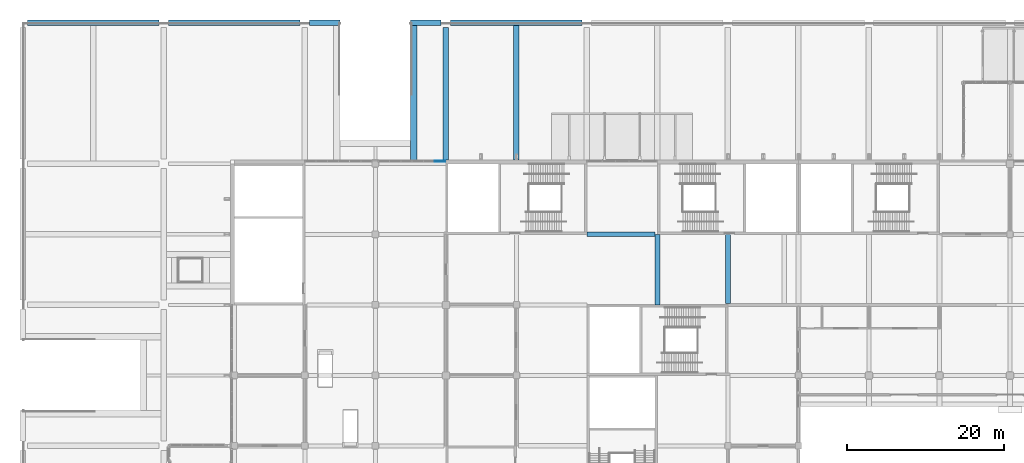
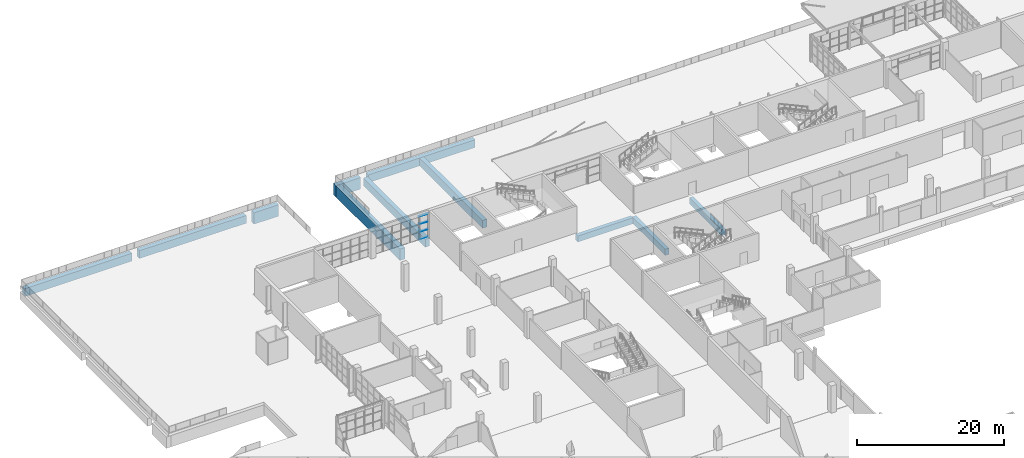
# One storey, part 55 of 168: 11 beams, 4 members, 1 element without a shape of its own.
"""IFC4 building model written with IfcOpenShell, lengths in metres."""

from ifc_helpers import new_model, si_unit, direction, frame, origin, origin_2d, place, context, subcontext, project, spatial, rectangle, extrude, material, material_profile, profile_set, type_object, element, aggregate, save


model = new_model("IFC4")

# Units and contexts
model_context = context("Model", 3, precision=1e-05, world=origin(), true_north=direction((0.0, 1.0)))
body_context = subcontext(model_context, "Body", "Model", "MODEL_VIEW")
ifc_project = project(units=[si_unit("LENGTHUNIT", "METRE"), si_unit("AREAUNIT", "SQUARE_METRE"), si_unit("VOLUMEUNIT", "CUBIC_METRE"), si_unit("PLANEANGLEUNIT", "RADIAN"), si_unit("MASSUNIT", "GRAM", prefix="KILO")], contexts=[model_context])

# Site, building, storey
site_placement = place(None, origin())
site = spatial("IfcSite", under=ifc_project, at=site_placement, CompositionType="ELEMENT")
building_placement = place(site_placement, origin())
building = spatial("IfcBuilding", under=site, at=building_placement, Name="Silverbay Arena", CompositionType="ELEMENT")
storey_placement = place(building_placement, frame((0.0, 0.0, 7.0)))
storey = spatial("IfcBuildingStorey", under=building, at=storey_placement, Name="L01", CompositionType="ELEMENT", Elevation=7.0)

# Beams
ifc_material_1 = material(Name="Concrete Grade C45", Category="concrete")
ifc_material_profile_1 = material_profile(ifc_material_1, rectangle(XDim=0.60009765625, YDim=1.0, at=origin_2d()), Name="RC 600x1000")
ifc_profile_set_1 = profile_set([ifc_material_profile_1], Name="Concrete Grade C45")
beam_type_1 = type_object("IfcBeamType", Name="RC beam 600x1000", PredefinedType="BEAM", material=ifc_profile_set_1)
beam_1_placement = place(storey_placement, frame((72.0, 135.0, -0.85009765625), z_axis=(1.0, 0.0, 0.0), x_axis=(0.0, 1.0, 0.0)))
element("IfcBeam", 1, at=beam_1_placement, inside=storey, type_object=beam_type_1, Name="Floor beam L01 165", PredefinedType="BEAM", context=body_context, shape_type="SweptSolid", body=[
    extrude(rectangle(XDim=0.60009765625, YDim=1.0, at=origin_2d()), origin(), (0.0, 0.0, 1.0), 8.699951171875),
])
beam_2_placement = place(storey_placement, frame((81.0, 126.0, -0.85009765625), z_axis=(0.0, 1.0, 0.0), x_axis=(-1.0, 0.0, 0.0)))
element("IfcBeam", 2, at=beam_2_placement, inside=storey, type_object=beam_type_1, Name="Floor beam L01 236", PredefinedType="BEAM", context=body_context, shape_type="SweptSolid", body=[
    extrude(rectangle(XDim=0.60009765625, YDim=1.0, at=origin_2d()), origin(), (0.0, 0.0, 1.0), 9.0),
])
beam_3_placement = place(storey_placement, frame((90.0, 126.199951171875, -0.85009765625), z_axis=(0.0, 1.0, 0.0), x_axis=(-1.0, 0.0, 0.0)))
element("IfcBeam", 3, at=beam_3_placement, inside=storey, type_object=beam_type_1, Name="Floor beam L01 242", PredefinedType="BEAM", context=body_context, shape_type="SweptSolid", body=[
    extrude(rectangle(XDim=0.60009765625, YDim=1.0, at=origin_2d()), origin(), (0.0, 0.0, 1.0), 8.800048828125),
])
ifc_material_2 = material(Name="Concrete Grade C45", Category="concrete")
ifc_material_profile_2 = material_profile(ifc_material_2, rectangle(XDim=0.699951171875, YDim=1.89990234375, at=origin_2d()), Name="RC 700x1900")
ifc_profile_set_2 = profile_set([ifc_material_profile_2], Name="Concrete Grade C45")
beam_type_2 = type_object("IfcBeamType", Name="RC deck edge girder 700x1900", PredefinedType="BEAM", material=ifc_profile_set_2)
for number, where, z_axis, x_axis, name in (
    (4, (36.60009765625, 162.0, -1.39990234375), (1.0, 0.0, 0.0), (0.0, 1.0, 0.0), "Deck girder 139"),
    (5, (49.5, 162.0, -1.39990234375), (1.0, 0.0, 0.0), (0.0, 1.0, 0.0), "Deck girder 139"),
):
    element("IfcBeam", number, at=place(storey_placement, frame(where, z_axis=z_axis, x_axis=x_axis)), inside=storey, type_object=beam_type_2, Name=name, PredefinedType="BEAM", context=body_context, shape_type="SweptSolid", body=[
        extrude(rectangle(XDim=0.699951171875, YDim=1.89990234375, at=origin_2d()), origin(), (0.0, 0.0, 1.0), 3.89990234375),
    ])
ifc_material_3 = material(Name="Concrete Grade C45", Category="concrete")
ifc_material_profile_3 = material_profile(ifc_material_3, rectangle(XDim=0.699951171875, YDim=1.300048828125, at=origin_2d()), Name="RC 700x1300")
ifc_profile_set_3 = profile_set([ifc_material_profile_3], Name="Concrete Grade C45")
beam_type_3 = type_object("IfcBeamType", Name="RC girder 700x1300", PredefinedType="BEAM", material=ifc_profile_set_3)
beam_4_placement = place(storey_placement, frame((54.0, 144.5, -1.10009765625), z_axis=(0.0, 1.0, 0.0), x_axis=(-1.0, 0.0, 0.0)))
element("IfcBeam", 6, at=beam_4_placement, inside=storey, type_object=beam_type_3, Name="Deck secondary beam 104", PredefinedType="BEAM", context=body_context, shape_type="SweptSolid", body=[
    extrude(rectangle(XDim=0.699951171875, YDim=1.300048828125, at=origin_2d()), origin(), (0.0, 0.0, 1.0), 16.89990234375),
])
beam_5_placement = place(storey_placement, frame((63.0, 144.5, -1.10009765625), z_axis=(0.0, 1.0, 0.0), x_axis=(-1.0, 0.0, 0.0)))
element("IfcBeam", 7, at=beam_5_placement, inside=storey, type_object=beam_type_3, Name="Deck secondary beam 106", PredefinedType="BEAM", context=body_context, shape_type="SweptSolid", body=[
    extrude(rectangle(XDim=0.699951171875, YDim=1.300048828125, at=origin_2d()), origin(), (0.0, 0.0, 1.0), 17.14990234375),
])
for number, where, z_axis, x_axis, name in (
    (8, (0.60009765625, 162.0, -1.10009765625), (1.0, 0.0, 0.0), (0.0, 1.0, 0.0), "Deck girder 139"),
    (9, (18.60009765625, 162.0, -1.10009765625), (1.0, 0.0, 0.0), (0.0, 1.0, 0.0), "Deck girder 139"),
    (10, (54.60009765625, 162.0, -1.10009765625), (1.0, 0.0, 0.0), (0.0, 1.0, 0.0), "Deck girder 139"),
):
    element("IfcBeam", number, at=place(storey_placement, frame(where, z_axis=z_axis, x_axis=x_axis)), inside=storey, type_object=beam_type_3, Name=name, PredefinedType="BEAM", context=body_context, shape_type="SweptSolid", body=[
        extrude(rectangle(XDim=0.699951171875, YDim=1.300048828125, at=origin_2d()), origin(), (0.0, 0.0, 1.0), 16.7998046875),
    ])
ifc_material_4 = material(Name="Concrete Grade C45", Category="concrete")
ifc_material_profile_4 = material_profile(ifc_material_4, rectangle(XDim=0.800048828125, YDim=1.89990234375, at=origin_2d()), Name="RC 800x1900")
ifc_profile_set_4 = profile_set([ifc_material_profile_4], Name="Concrete Grade C45")
beam_type_4 = type_object("IfcBeamType", Name="RC trimmer girder 800x1900", PredefinedType="BEAM", material=ifc_profile_set_4)
beam_6_placement = place(storey_placement, frame((49.909912109375, 144.25, -1.39990234375), z_axis=(0.0, 1.0, 0.0), x_axis=(-1.0, 0.0, 0.0)))
element("IfcBeam", 11, at=beam_6_placement, inside=storey, type_object=beam_type_4, Name="Deck trimmer 057", PredefinedType="BEAM", context=body_context, shape_type="SweptSolid", body=[
    extrude(rectangle(XDim=0.800048828125, YDim=1.89990234375, at=origin_2d()), origin(), (0.0, 0.0, 1.0), 17.39990234375),
])

# Curtain wall, members
ifc_material_5 = material(Name="Aluminium framed curtain wall", Category="aluminium")
curtain_wall_type = type_object("IfcCurtainWallType", Name="Curtain wall 8600 x 3900", PredefinedType="NOTDEFINED", material=ifc_material_5)
curtain_wall_placement = place(storey_placement, origin())
curtain_wall = element("IfcCurtainWall", 12, at=curtain_wall_placement, inside=storey, type_object=curtain_wall_type, Name="North curtain wall L01 bay 3", PredefinedType="NOTDEFINED")
ifc_material_6 = material(Name="Aluminium", Category="aluminium")
ifc_material_profile_5 = material_profile(ifc_material_6, rectangle(XDim=0.1201171875, YDim=0.050048828125, at=origin_2d()), Name="Transom 50 x 120")
ifc_profile_set_5 = profile_set([ifc_material_profile_5], Name="Aluminium")
member_type = type_object("IfcMemberType", Name="Transom 50 x 120", PredefinedType="USERDEFINED", material=ifc_profile_set_5)
member_1_placement = place(storey_placement, frame((53.93994140625, 144.330078125, 0.02490234375), z_axis=(-1.0, 0.0, 0.0), x_axis=(0.0, -1.0, 0.0)))
member_1 = element("IfcMember", 13, at=member_1_placement, type_object=member_type, Name="CW1 transom 1.1", ObjectType="TRANSOM", PredefinedType="USERDEFINED", context=body_context, shape_type="SweptSolid", body=[
    extrude(rectangle(XDim=0.1201171875, YDim=0.050048828125, at=origin_2d()), origin(), (0.0, 0.0, 1.0), 1.34326171875),
])
member_2_placement = place(storey_placement, frame((53.93994140625, 144.330078125, 1.300048828125), z_axis=(-1.0, 0.0, 0.0), x_axis=(0.0, -1.0, 0.0)))
member_2 = element("IfcMember", 14, at=member_2_placement, type_object=member_type, Name="CW1 transom 1.2", ObjectType="TRANSOM", PredefinedType="USERDEFINED", context=body_context, shape_type="SweptSolid", body=[
    extrude(rectangle(XDim=0.1201171875, YDim=0.050048828125, at=origin_2d()), origin(), (0.0, 0.0, 1.0), 1.34326171875),
])
member_3_placement = place(storey_placement, frame((53.93994140625, 144.330078125, 2.60009765625), z_axis=(-1.0, 0.0, 0.0), x_axis=(0.0, -1.0, 0.0)))
member_3 = element("IfcMember", 15, at=member_3_placement, type_object=member_type, Name="CW1 transom 1.3", ObjectType="TRANSOM", PredefinedType="USERDEFINED", context=body_context, shape_type="SweptSolid", body=[
    extrude(rectangle(XDim=0.1201171875, YDim=0.050048828125, at=origin_2d()), origin(), (0.0, 0.0, 1.0), 1.34326171875),
])
member_4_placement = place(storey_placement, frame((53.93994140625, 144.330078125, 3.875), z_axis=(-1.0, 0.0, 0.0), x_axis=(0.0, -1.0, 0.0)))
member_4 = element("IfcMember", 16, at=member_4_placement, type_object=member_type, Name="CW1 transom 1.4", ObjectType="TRANSOM", PredefinedType="USERDEFINED", context=body_context, shape_type="SweptSolid", body=[
    extrude(rectangle(XDim=0.1201171875, YDim=0.050048828125, at=origin_2d()), origin(), (0.0, 0.0, 1.0), 1.34326171875),
])
aggregate(curtain_wall, [member_1, member_2, member_3, member_4])

save(model, "model.ifc")
